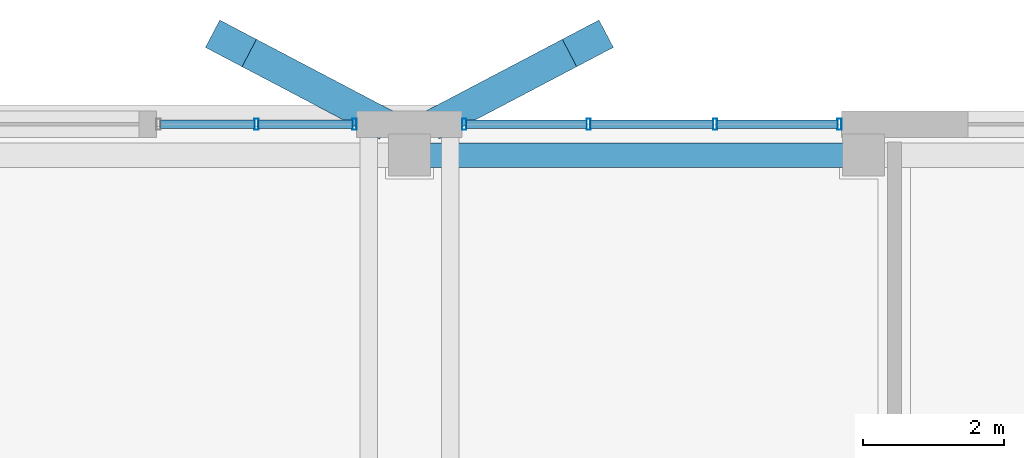
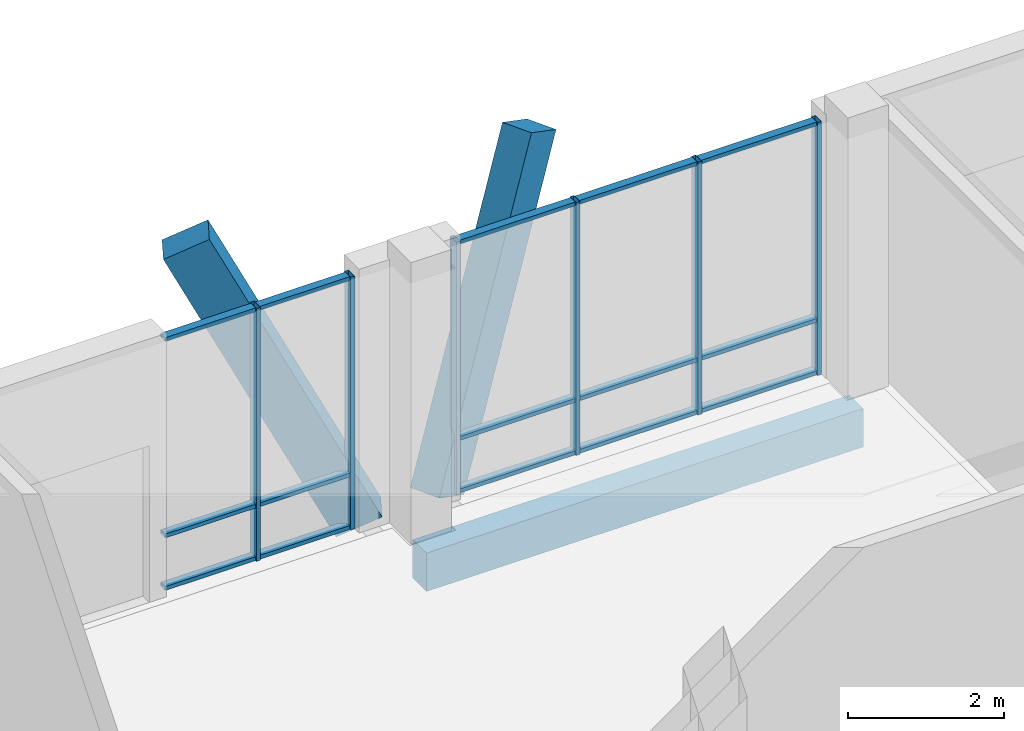
# One storey, part 117 of 233: 23 members, 1 beam, 2 elements without a shape of their own.
"""IFC4 building model written with IfcOpenShell, lengths in metres."""

from ifc_helpers import new_model, si_unit, direction, frame, origin, origin_2d, place, context, subcontext, project, spatial, rectangle, hollow_rectangle, extrude, material, material_profile, profile_set, type_object, element, aggregate, save


model = new_model("IFC4")

# Units and contexts
model_context = context("Model", 3, precision=1e-05, world=origin(), true_north=direction((0.0, 1.0)))
body_context = subcontext(model_context, "Body", "Model", "MODEL_VIEW")
ifc_project = project(units=[si_unit("LENGTHUNIT", "METRE"), si_unit("AREAUNIT", "SQUARE_METRE"), si_unit("VOLUMEUNIT", "CUBIC_METRE"), si_unit("PLANEANGLEUNIT", "RADIAN"), si_unit("MASSUNIT", "GRAM", prefix="KILO")], contexts=[model_context])

# Site, building, storey
site_placement = place(None, origin())
site = spatial("IfcSite", under=ifc_project, at=site_placement, CompositionType="ELEMENT")
building_placement = place(site_placement, origin())
building = spatial("IfcBuilding", under=site, at=building_placement, Name="Zavelmont Quarter", CompositionType="ELEMENT")
storey_placement = place(building_placement, origin())
storey = spatial("IfcBuildingStorey", under=building, at=storey_placement, Name="L00", CompositionType="ELEMENT", Elevation=0.0)

# Beam
ifc_material_1 = material(Name="Concrete C35/45", Category="concrete")
ifc_material_profile_1 = material_profile(ifc_material_1, rectangle(XDim=0.35009765625, YDim=0.60009765625, at=origin_2d()), Name="RC350X600")
ifc_profile_set_1 = profile_set([ifc_material_profile_1], Name="Concrete C35/45")
beam_type = type_object("IfcBeamType", Name="BM01", PredefinedType="SPANDREL", material=ifc_profile_set_1)
beam_placement = place(storey_placement, frame((34.5, 115.56005859375, -0.6201171875), z_axis=(1.0, 0.0, 0.0), x_axis=(0.0, 1.0, 0.0)))
element("IfcBeam", 1, at=beam_placement, inside=storey, type_object=beam_type, Name="L00 beam BM01 6/S to 7/S", PredefinedType="SPANDREL", context=body_context, shape_type="SweptSolid", body=[
    extrude(rectangle(XDim=0.35009765625, YDim=0.60009765625, at=origin_2d()), origin(), (0.0, 0.0, 1.0), 6.4599609375),
])

# Curtain wall, members
ifc_material_2 = material(Name="Thermally broken aluminium and double low-E safety glazing", Category="aluminium")
curtain_wall_type_1 = type_object("IfcCurtainWallType", Name="CW-285X395", PredefinedType="NOTDEFINED", material=ifc_material_2)
curtain_wall_1_placement = place(storey_placement, origin())
curtain_wall_1 = element("IfcCurtainWall", 2, at=curtain_wall_1_placement, inside=storey, type_object=curtain_wall_type_1, Name="L00 unitised curtain wall CW-285X395", PredefinedType="NOTDEFINED")
ifc_material_3 = material(Name="Powder-coated aluminium EN AW-6063-T6", Category="aluminium")
ifc_material_profile_2 = material_profile(ifc_material_3, hollow_rectangle(XDim=0.06005859375, YDim=0.159912109375, WallThickness=0.00390625, at=origin_2d()), Name="CWM60X160")
ifc_profile_set_2 = profile_set([ifc_material_profile_2], Name="Powder-coated aluminium EN AW-6063-T6")
member_type_1 = type_object("IfcMemberType", Name="CWM01", PredefinedType="MULLION", material=ifc_profile_set_2)
member_1_placement = place(storey_placement, frame((32.324951171875, 116.0, 0.0), z_axis=(0.0, 0.0, 1.0), x_axis=(1.0, 0.0, 0.0)))
member_1 = element("IfcMember", 3, at=member_1_placement, type_object=member_type_1, Name="CW-285X395 mullion 2", PredefinedType="MULLION", context=body_context, shape_type="SweptSolid", body=[
    extrude(hollow_rectangle(XDim=0.06005859375, YDim=0.159912109375, WallThickness=0.00390625, at=origin_2d()), origin(), (0.0, 0.0, 1.0), 3.949951171875),
])
member_2_placement = place(storey_placement, frame((33.719970703125, 116.0, 0.0), z_axis=(0.0, 0.0, 1.0), x_axis=(1.0, 0.0, 0.0)))
member_2 = element("IfcMember", 4, at=member_2_placement, type_object=member_type_1, Name="CW-285X395 mullion 3", PredefinedType="MULLION", context=body_context, shape_type="SweptSolid", body=[
    extrude(hollow_rectangle(XDim=0.06005859375, YDim=0.159912109375, WallThickness=0.00390625, at=origin_2d()), origin(), (0.0, 0.0, 1.0), 3.949951171875),
])

curtain_wall_type_2 = type_object("IfcCurtainWallType", Name="CW-540X395", PredefinedType="NOTDEFINED", material=ifc_material_2)
curtain_wall_2_placement = place(storey_placement, origin())
curtain_wall_2 = element("IfcCurtainWall", 5, at=curtain_wall_2_placement, inside=storey, type_object=curtain_wall_type_2, Name="L00 unitised curtain wall CW-540X395", PredefinedType="NOTDEFINED")
member_3_placement = place(storey_placement, frame((35.280029296875, 116.0, 0.0), z_axis=(0.0, 0.0, 1.0), x_axis=(1.0, 0.0, 0.0)))
member_3 = element("IfcMember", 6, at=member_3_placement, type_object=member_type_1, Name="CW-540X395 mullion 1", PredefinedType="MULLION", context=body_context, shape_type="SweptSolid", body=[
    extrude(hollow_rectangle(XDim=0.06005859375, YDim=0.159912109375, WallThickness=0.00390625, at=origin_2d()), origin(), (0.0, 0.0, 1.0), 3.949951171875),
])
member_4_placement = place(storey_placement, frame((37.050048828125, 116.0, 0.0), z_axis=(0.0, 0.0, 1.0), x_axis=(1.0, 0.0, 0.0)))
member_4 = element("IfcMember", 7, at=member_4_placement, type_object=member_type_1, Name="CW-540X395 mullion 2", PredefinedType="MULLION", context=body_context, shape_type="SweptSolid", body=[
    extrude(hollow_rectangle(XDim=0.06005859375, YDim=0.159912109375, WallThickness=0.00390625, at=origin_2d()), origin(), (0.0, 0.0, 1.0), 3.949951171875),
])
member_5_placement = place(storey_placement, frame((38.85009765625, 116.0, 0.0), z_axis=(0.0, 0.0, 1.0), x_axis=(1.0, 0.0, 0.0)))
member_5 = element("IfcMember", 8, at=member_5_placement, type_object=member_type_1, Name="CW-540X395 mullion 3", PredefinedType="MULLION", context=body_context, shape_type="SweptSolid", body=[
    extrude(hollow_rectangle(XDim=0.06005859375, YDim=0.159912109375, WallThickness=0.00390625, at=origin_2d()), origin(), (0.0, 0.0, 1.0), 3.949951171875),
])
member_6_placement = place(storey_placement, frame((40.6201171875, 116.0, 0.0), z_axis=(0.0, 0.0, 1.0), x_axis=(1.0, 0.0, 0.0)))
member_6 = element("IfcMember", 9, at=member_6_placement, type_object=member_type_1, Name="CW-540X395 mullion 4", PredefinedType="MULLION", context=body_context, shape_type="SweptSolid", body=[
    extrude(hollow_rectangle(XDim=0.06005859375, YDim=0.159912109375, WallThickness=0.00390625, at=origin_2d()), origin(), (0.0, 0.0, 1.0), 3.949951171875),
])

# Member
ifc_material_profile_3 = material_profile(ifc_material_3, hollow_rectangle(XDim=0.1201171875, YDim=0.06005859375, WallThickness=0.00390625, at=origin_2d()), Name="CWT60X120")
ifc_profile_set_3 = profile_set([ifc_material_profile_3], Name="Powder-coated aluminium EN AW-6063-T6")
member_type_2 = type_object("IfcMemberType", Name="CWT01", PredefinedType="NOTDEFINED", material=ifc_profile_set_3)
member_7_placement = place(storey_placement, frame((30.9599609375, 116.0, 0.030029296875), z_axis=(1.0, 0.0, 0.0), x_axis=(0.0, 1.0, 0.0)))
member_7 = element("IfcMember", 10, at=member_7_placement, type_object=member_type_2, Name="CW-285X395 transom 1.1", ObjectType="TRANSOM", PredefinedType="USERDEFINED", context=body_context, shape_type="SweptSolid", body=[
    extrude(hollow_rectangle(XDim=0.1201171875, YDim=0.06005859375, WallThickness=0.00390625, at=origin_2d()), origin(), (0.0, 0.0, 1.0), 1.3349609375),
])

member_8_placement = place(storey_placement, frame((30.9599609375, 116.0, 0.85009765625), z_axis=(1.0, 0.0, 0.0), x_axis=(0.0, 1.0, 0.0)))
member_8 = element("IfcMember", 11, at=member_8_placement, type_object=member_type_2, Name="CW-285X395 transom 1.2", ObjectType="TRANSOM", PredefinedType="USERDEFINED", context=body_context, shape_type="SweptSolid", body=[
    extrude(hollow_rectangle(XDim=0.1201171875, YDim=0.06005859375, WallThickness=0.00390625, at=origin_2d()), origin(), (0.0, 0.0, 1.0), 1.3349609375),
])

member_9_placement = place(storey_placement, frame((30.9599609375, 116.0, 3.919921875), z_axis=(1.0, 0.0, 0.0), x_axis=(0.0, 1.0, 0.0)))
member_9 = element("IfcMember", 12, at=member_9_placement, type_object=member_type_2, Name="CW-285X395 transom 1.3", ObjectType="TRANSOM", PredefinedType="USERDEFINED", context=body_context, shape_type="SweptSolid", body=[
    extrude(hollow_rectangle(XDim=0.1201171875, YDim=0.06005859375, WallThickness=0.00390625, at=origin_2d()), origin(), (0.0, 0.0, 1.0), 1.3349609375),
])

member_10_placement = place(storey_placement, frame((32.35498046875, 116.0, 0.030029296875), z_axis=(1.0, 0.0, 0.0), x_axis=(0.0, 1.0, 0.0)))
member_10 = element("IfcMember", 13, at=member_10_placement, type_object=member_type_2, Name="CW-285X395 transom 2.1", ObjectType="TRANSOM", PredefinedType="USERDEFINED", context=body_context, shape_type="SweptSolid", body=[
    extrude(hollow_rectangle(XDim=0.1201171875, YDim=0.06005859375, WallThickness=0.00390625, at=origin_2d()), origin(), (0.0, 0.0, 1.0), 1.3349609375),
])

member_11_placement = place(storey_placement, frame((32.35498046875, 116.0, 0.85009765625), z_axis=(1.0, 0.0, 0.0), x_axis=(0.0, 1.0, 0.0)))
member_11 = element("IfcMember", 14, at=member_11_placement, type_object=member_type_2, Name="CW-285X395 transom 2.2", ObjectType="TRANSOM", PredefinedType="USERDEFINED", context=body_context, shape_type="SweptSolid", body=[
    extrude(hollow_rectangle(XDim=0.1201171875, YDim=0.06005859375, WallThickness=0.00390625, at=origin_2d()), origin(), (0.0, 0.0, 1.0), 1.3349609375),
])

member_12_placement = place(storey_placement, frame((32.35498046875, 116.0, 3.919921875), z_axis=(1.0, 0.0, 0.0), x_axis=(0.0, 1.0, 0.0)))
member_12 = element("IfcMember", 15, at=member_12_placement, type_object=member_type_2, Name="CW-285X395 transom 2.3", ObjectType="TRANSOM", PredefinedType="USERDEFINED", context=body_context, shape_type="SweptSolid", body=[
    extrude(hollow_rectangle(XDim=0.1201171875, YDim=0.06005859375, WallThickness=0.00390625, at=origin_2d()), origin(), (0.0, 0.0, 1.0), 1.3349609375),
])

aggregate(curtain_wall_1, [member_1, member_2, member_7, member_8, member_9, member_10, member_11, member_12])

member_13_placement = place(storey_placement, frame((35.31005859375, 116.0, 0.030029296875), z_axis=(1.0, 0.0, 0.0), x_axis=(0.0, 1.0, 0.0)))
member_13 = element("IfcMember", 16, at=member_13_placement, type_object=member_type_2, Name="CW-540X395 transom 1.1", ObjectType="TRANSOM", PredefinedType="USERDEFINED", context=body_context, shape_type="SweptSolid", body=[
    extrude(hollow_rectangle(XDim=0.1201171875, YDim=0.06005859375, WallThickness=0.00390625, at=origin_2d()), origin(), (0.0, 0.0, 1.0), 1.7099609375),
])

member_14_placement = place(storey_placement, frame((35.31005859375, 116.0, 0.85009765625), z_axis=(1.0, 0.0, 0.0), x_axis=(0.0, 1.0, 0.0)))
member_14 = element("IfcMember", 17, at=member_14_placement, type_object=member_type_2, Name="CW-540X395 transom 1.2", ObjectType="TRANSOM", PredefinedType="USERDEFINED", context=body_context, shape_type="SweptSolid", body=[
    extrude(hollow_rectangle(XDim=0.1201171875, YDim=0.06005859375, WallThickness=0.00390625, at=origin_2d()), origin(), (0.0, 0.0, 1.0), 1.7099609375),
])

member_15_placement = place(storey_placement, frame((35.31005859375, 116.0, 3.919921875), z_axis=(1.0, 0.0, 0.0), x_axis=(0.0, 1.0, 0.0)))
member_15 = element("IfcMember", 18, at=member_15_placement, type_object=member_type_2, Name="CW-540X395 transom 1.3", ObjectType="TRANSOM", PredefinedType="USERDEFINED", context=body_context, shape_type="SweptSolid", body=[
    extrude(hollow_rectangle(XDim=0.1201171875, YDim=0.06005859375, WallThickness=0.00390625, at=origin_2d()), origin(), (0.0, 0.0, 1.0), 1.7099609375),
])

member_16_placement = place(storey_placement, frame((37.080078125, 116.0, 0.030029296875), z_axis=(1.0, 0.0, 0.0), x_axis=(0.0, 1.0, 0.0)))
member_16 = element("IfcMember", 19, at=member_16_placement, type_object=member_type_2, Name="CW-540X395 transom 2.1", ObjectType="TRANSOM", PredefinedType="USERDEFINED", context=body_context, shape_type="SweptSolid", body=[
    extrude(hollow_rectangle(XDim=0.1201171875, YDim=0.06005859375, WallThickness=0.00390625, at=origin_2d()), origin(), (0.0, 0.0, 1.0), 1.739990234375),
])

member_17_placement = place(storey_placement, frame((37.080078125, 116.0, 0.85009765625), z_axis=(1.0, 0.0, 0.0), x_axis=(0.0, 1.0, 0.0)))
member_17 = element("IfcMember", 20, at=member_17_placement, type_object=member_type_2, Name="CW-540X395 transom 2.2", ObjectType="TRANSOM", PredefinedType="USERDEFINED", context=body_context, shape_type="SweptSolid", body=[
    extrude(hollow_rectangle(XDim=0.1201171875, YDim=0.06005859375, WallThickness=0.00390625, at=origin_2d()), origin(), (0.0, 0.0, 1.0), 1.739990234375),
])

member_18_placement = place(storey_placement, frame((37.080078125, 116.0, 3.919921875), z_axis=(1.0, 0.0, 0.0), x_axis=(0.0, 1.0, 0.0)))
member_18 = element("IfcMember", 21, at=member_18_placement, type_object=member_type_2, Name="CW-540X395 transom 2.3", ObjectType="TRANSOM", PredefinedType="USERDEFINED", context=body_context, shape_type="SweptSolid", body=[
    extrude(hollow_rectangle(XDim=0.1201171875, YDim=0.06005859375, WallThickness=0.00390625, at=origin_2d()), origin(), (0.0, 0.0, 1.0), 1.739990234375),
])

member_19_placement = place(storey_placement, frame((38.8798828125, 116.0, 0.030029296875), z_axis=(1.0, 0.0, 0.0), x_axis=(0.0, 1.0, 0.0)))
member_19 = element("IfcMember", 22, at=member_19_placement, type_object=member_type_2, Name="CW-540X395 transom 3.1", ObjectType="TRANSOM", PredefinedType="USERDEFINED", context=body_context, shape_type="SweptSolid", body=[
    extrude(hollow_rectangle(XDim=0.1201171875, YDim=0.06005859375, WallThickness=0.00390625, at=origin_2d()), origin(), (0.0, 0.0, 1.0), 1.710205078125),
])

member_20_placement = place(storey_placement, frame((38.8798828125, 116.0, 0.85009765625), z_axis=(1.0, 0.0, 0.0), x_axis=(0.0, 1.0, 0.0)))
member_20 = element("IfcMember", 23, at=member_20_placement, type_object=member_type_2, Name="CW-540X395 transom 3.2", ObjectType="TRANSOM", PredefinedType="USERDEFINED", context=body_context, shape_type="SweptSolid", body=[
    extrude(hollow_rectangle(XDim=0.1201171875, YDim=0.06005859375, WallThickness=0.00390625, at=origin_2d()), origin(), (0.0, 0.0, 1.0), 1.710205078125),
])

member_21_placement = place(storey_placement, frame((38.8798828125, 116.0, 3.919921875), z_axis=(1.0, 0.0, 0.0), x_axis=(0.0, 1.0, 0.0)))
member_21 = element("IfcMember", 24, at=member_21_placement, type_object=member_type_2, Name="CW-540X395 transom 3.3", ObjectType="TRANSOM", PredefinedType="USERDEFINED", context=body_context, shape_type="SweptSolid", body=[
    extrude(hollow_rectangle(XDim=0.1201171875, YDim=0.06005859375, WallThickness=0.00390625, at=origin_2d()), origin(), (0.0, 0.0, 1.0), 1.710205078125),
])

aggregate(curtain_wall_2, [member_3, member_4, member_5, member_6, member_13, member_14, member_15, member_16, member_17, member_18, member_19, member_20, member_21])

# Members
ifc_material_4 = material(Name="White architectural precast concrete C40/50", Category="concrete")
ifc_material_profile_4 = material_profile(ifc_material_4, rectangle(XDim=0.43994140625, YDim=0.659912109375, at=origin_2d()), Name="PCR320X480")
ifc_profile_set_4 = profile_set([ifc_material_profile_4], Name="White architectural precast concrete C40/50")
member_type_3 = type_object("IfcMemberType", Name="VR01M", PredefinedType="CHORD", material=ifc_profile_set_4)
for number, where, z_axis, x_axis, name in (
    (25, (33.919921875, 116.1201171875, 0.0), (-0.397791991409, 0.20908244483, 0.893334239148), (-0.465255384016, -0.885176495194, 0.0), "L00 member VR01M 6/S to 6/S"),
    (26, (35.080078125, 116.1201171875, 0.0), (0.397791991409, 0.20908244483, 0.893334239148), (-0.465255384016, 0.885176495194, 0.0), "L00 member VR01M 6/S to 6/S"),
):
    element("IfcMember", number, at=place(storey_placement, frame(where, z_axis=z_axis, x_axis=x_axis)), inside=storey, type_object=member_type_3, Name=name, PredefinedType="CHORD", context=body_context, shape_type="SweptSolid", body=[
        extrude(rectangle(XDim=0.43994140625, YDim=0.659912109375, at=origin_2d()), origin(), (0.0, 0.0, 1.0), 4.92529296875),
    ])

save(model, "model.ifc")
